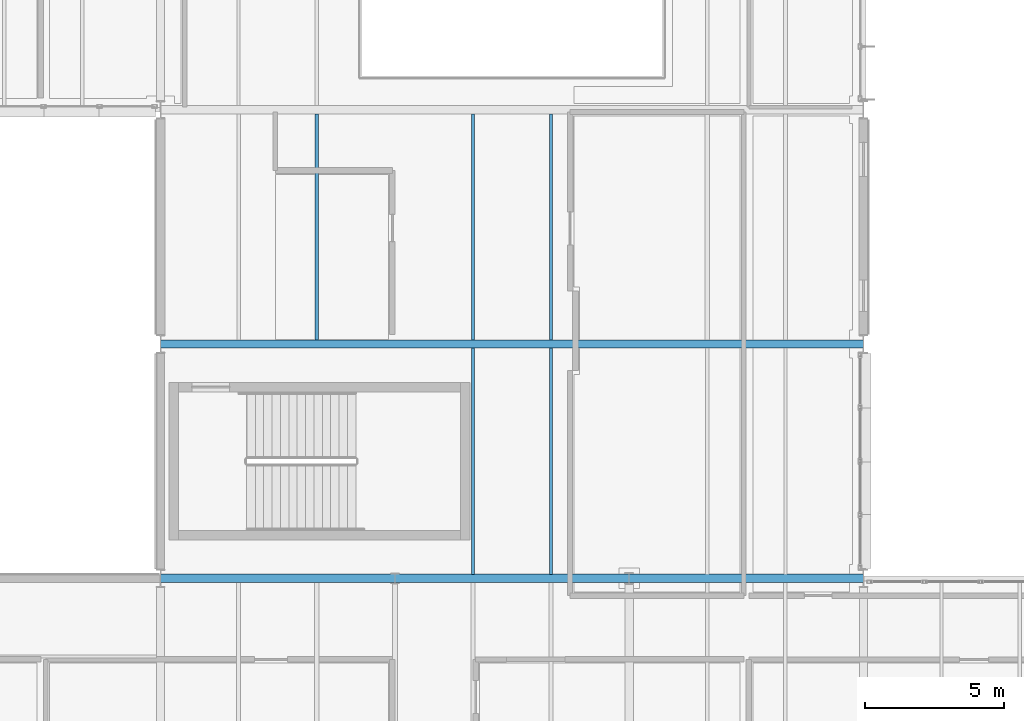
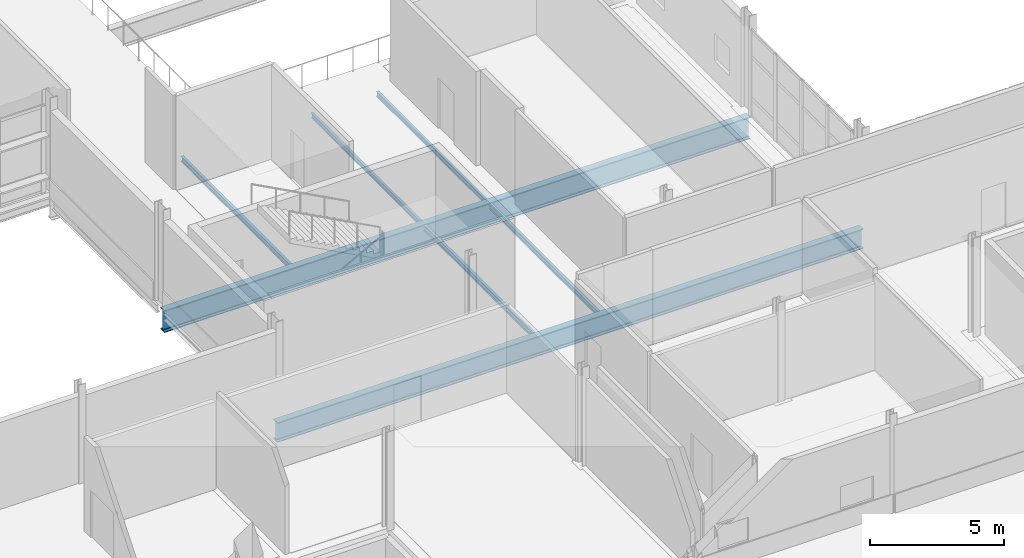
# One storey, part 32 of 129: 7 beams.
"""IFC4 building model written with IfcOpenShell, lengths in metres."""

from ifc_helpers import new_model, si_unit, direction, frame, origin, origin_2d, place, context, subcontext, project, spatial, i_section, extrude, material, material_profile, profile_set, type_object, element, save


model = new_model("IFC4")

# Units and contexts
model_context = context("Model", 3, precision=1e-05, world=origin(), true_north=direction((0.0, 1.0)))
body_context = subcontext(model_context, "Body", "Model", "MODEL_VIEW")
ifc_project = project(units=[si_unit("LENGTHUNIT", "METRE"), si_unit("AREAUNIT", "SQUARE_METRE"), si_unit("VOLUMEUNIT", "CUBIC_METRE"), si_unit("PLANEANGLEUNIT", "RADIAN"), si_unit("MASSUNIT", "GRAM", prefix="KILO")], contexts=[model_context])

# Site, building, storey
site_placement = place(None, origin())
site = spatial("IfcSite", under=ifc_project, at=site_placement, CompositionType="ELEMENT")
building_placement = place(site_placement, origin())
building = spatial("IfcBuilding", under=site, at=building_placement, Name="Mersafa Astral City Hall", CompositionType="ELEMENT")
storey_placement = place(building_placement, frame((0.0, 0.0, 5.39990234375)))
storey = spatial("IfcBuildingStorey", under=building, at=storey_placement, Name="L01", CompositionType="ELEMENT", Elevation=5.39990234375)

# Beams
ifc_material = material(Name="Steel S355", Category="steel")
ifc_material_profile_1 = material_profile(ifc_material, i_section(OverallWidth=0.300048828125, OverallDepth=0.89990234375, WebThickness=0.0185546875, FlangeThickness=0.034912109375, FilletRadius=0.030029296875, at=origin_2d()), Name="HEB 900")
ifc_profile_set_1 = profile_set([ifc_material_profile_1], Name="Steel S355")
beam_type_1 = type_object("IfcBeamType", Name="STR-BM-HEB900", PredefinedType="BEAM", material=ifc_profile_set_1)
beam_1_placement = place(storey_placement, frame((92.403076171875, 33.60009765625, -0.6748046875), z_axis=(1.0, 0.0, 0.0), x_axis=(0.0, 1.0, 0.0)))
element("IfcBeam", 1, at=beam_1_placement, inside=storey, type_object=beam_type_1, Name="L01 Public Service Hall clear-span portal girder 4", PredefinedType="BEAM", context=body_context, shape_type="SweptSolid", body=[
    extrude(i_section(OverallWidth=0.300048828125, OverallDepth=0.89990234375, WebThickness=0.0185546875, FlangeThickness=0.034912109375, FilletRadius=0.030029296875, at=origin_2d()), origin(), (0.0, 0.0, 1.0), 25.19384765625),
])
ifc_material_profile_2 = material_profile(ifc_material, i_section(OverallWidth=0.110107421875, OverallDepth=0.219970703125, WebThickness=0.005859375, FlangeThickness=0.00927734375, FilletRadius=0.011962890625, at=origin_2d()), Name="IPE 220")
ifc_profile_set_2 = profile_set([ifc_material_profile_2], Name="Steel S355")
beam_type_2 = type_object("IfcBeamType", Name="STR-BM-JOIST-IPE220", PredefinedType="JOIST", material=ifc_profile_set_2)
for number, where, z_axis, x_axis, name in (
    (2, (103.60009765625, 42.14501953125, -0.3349609375), (0.0, 1.0, 0.0), (-1.0, 0.0, 0.0), "L01 Composite secondary floor joist 292"),
    (3, (106.39990234375, 42.14501953125, -0.3349609375), (0.0, 1.0, 0.0), (-1.0, 0.0, 0.0), "L01 Composite secondary floor joist 293"),
):
    element("IfcBeam", number, at=place(storey_placement, frame(where, z_axis=z_axis, x_axis=x_axis)), inside=storey, type_object=beam_type_2, Name=name, PredefinedType="JOIST", context=body_context, shape_type="SweptSolid", body=[
        extrude(i_section(OverallWidth=0.110107421875, OverallDepth=0.219970703125, WebThickness=0.005859375, FlangeThickness=0.00927734375, FilletRadius=0.011962890625, at=origin_2d()), origin(), (0.0, 0.0, 1.0), 8.10986328125),
    ])
ifc_material_profile_3 = material_profile(ifc_material, i_section(OverallWidth=0.1201171875, OverallDepth=0.239990234375, WebThickness=0.006103515625, FlangeThickness=0.009765625, FilletRadius=0.014892578125, at=origin_2d()), Name="IPE 240")
ifc_profile_set_3 = profile_set([ifc_material_profile_3], Name="Steel S355")
beam_type_3 = type_object("IfcBeamType", Name="STR-BM-JOIST-IPE240", PredefinedType="JOIST", material=ifc_profile_set_3)
for number, where, z_axis, x_axis, name in (
    (4, (98.0, 42.14501953125, -0.344970703125), (0.0, 1.0, 0.0), (-1.0, 0.0, 0.0), "L01 Composite secondary floor joist 273"),
    (5, (103.60009765625, 33.7451171875, -0.344970703125), (0.0, 1.0, 0.0), (-1.0, 0.0, 0.0), "L01 Composite secondary floor joist 290"),
    (6, (106.39990234375, 33.7451171875, -0.344970703125), (0.0, 1.0, 0.0), (-1.0, 0.0, 0.0), "L01 Composite secondary floor joist 291"),
):
    element("IfcBeam", number, at=place(storey_placement, frame(where, z_axis=z_axis, x_axis=x_axis)), inside=storey, type_object=beam_type_3, Name=name, PredefinedType="JOIST", context=body_context, shape_type="SweptSolid", body=[
        extrude(i_section(OverallWidth=0.1201171875, OverallDepth=0.239990234375, WebThickness=0.006103515625, FlangeThickness=0.009765625, FilletRadius=0.014892578125, at=origin_2d()), origin(), (0.0, 0.0, 1.0), 8.10986328125),
    ])
ifc_material_profile_4 = material_profile(ifc_material, i_section(OverallWidth=0.300048828125, OverallDepth=1.0, WebThickness=0.01904296875, FlangeThickness=0.035888671875, FilletRadius=0.030029296875, at=origin_2d()), Name="HEB 1000")
ifc_profile_set_4 = profile_set([ifc_material_profile_4], Name="Steel S355")
beam_type_4 = type_object("IfcBeamType", Name="STR-BM-PORTAL-HEB1000", PredefinedType="BEAM", material=ifc_profile_set_4)
beam_2_placement = place(storey_placement, frame((92.403076171875, 42.0, -0.724853515625), z_axis=(1.0, 0.0, 0.0), x_axis=(0.0, 1.0, 0.0)))
element("IfcBeam", 7, at=beam_2_placement, inside=storey, type_object=beam_type_4, Name="L01 Public Service Hall clear-span portal girder 5", PredefinedType="BEAM", context=body_context, shape_type="SweptSolid", body=[
    extrude(i_section(OverallWidth=0.300048828125, OverallDepth=1.0, WebThickness=0.01904296875, FlangeThickness=0.035888671875, FilletRadius=0.030029296875, at=origin_2d()), origin(), (0.0, 0.0, 1.0), 25.19384765625),
])

save(model, "model.ifc")
